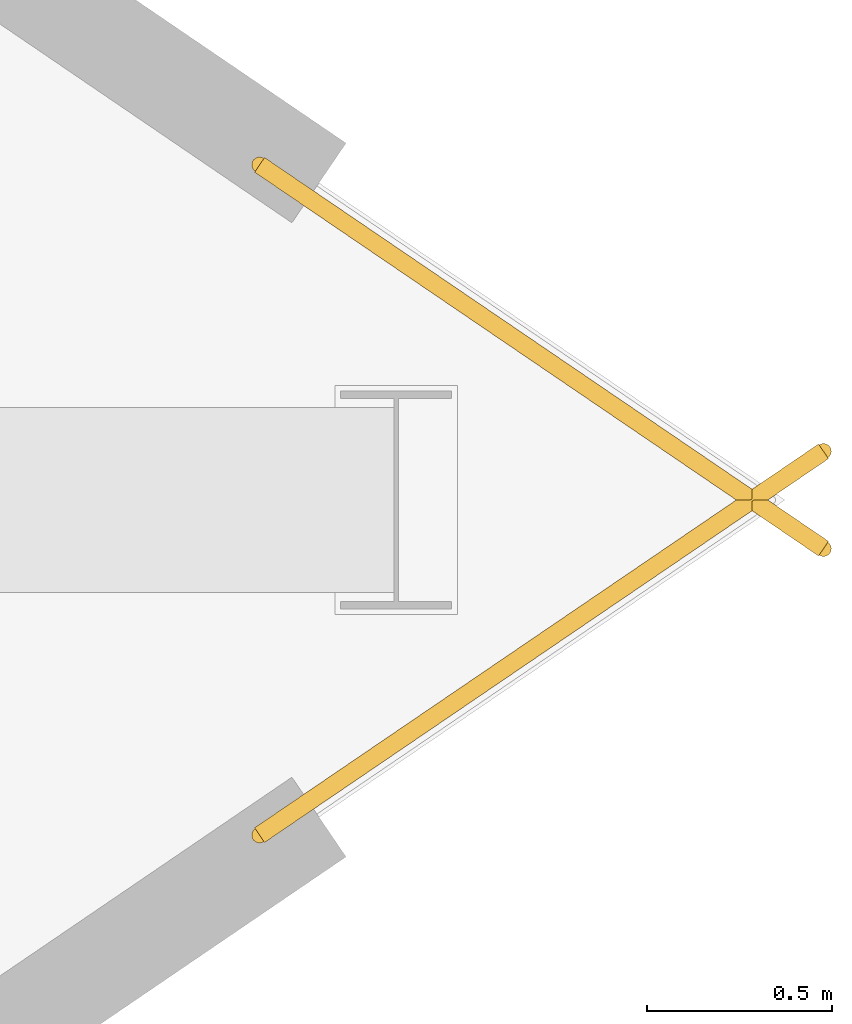
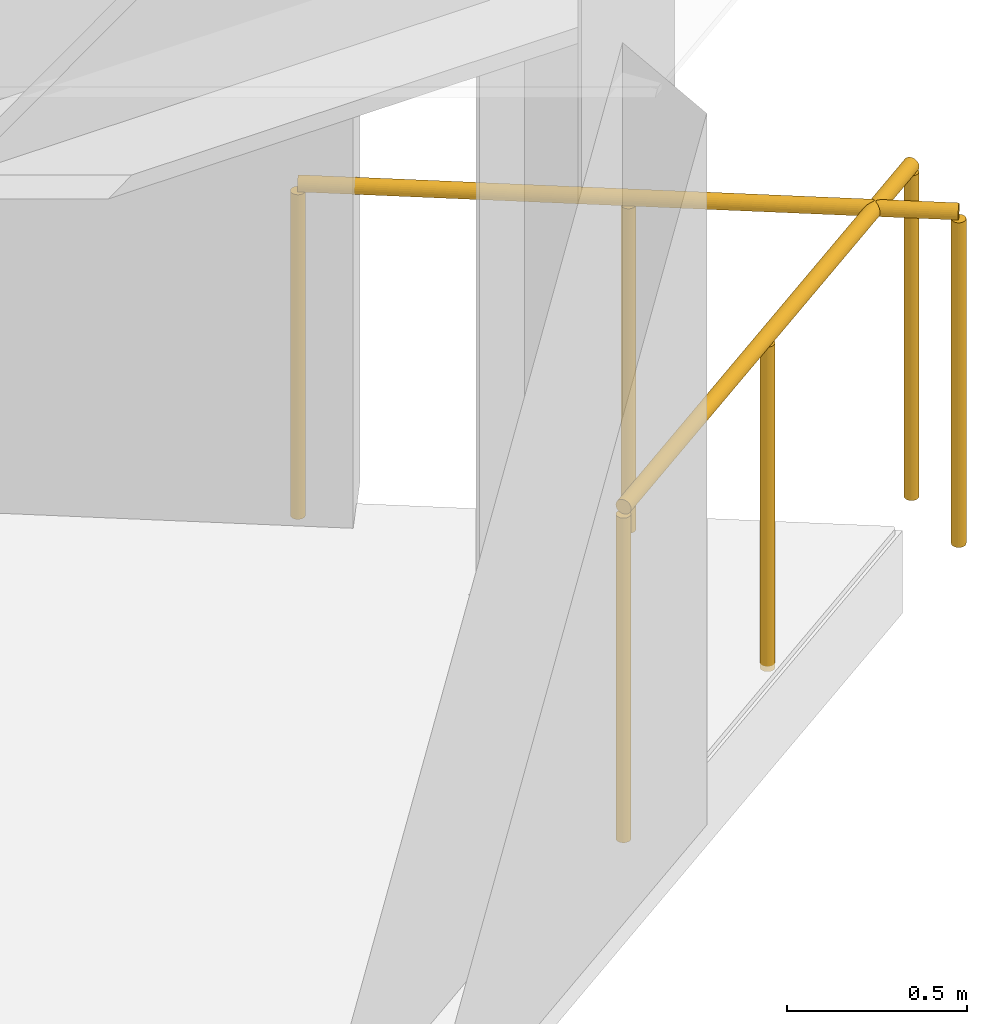
# One storey, part 20 of 20: 2 railings.
"""IFC4 building model written with IfcOpenShell, lengths in metres."""

from ifc_helpers import new_model, si_unit, direction, frame, origin, origin_2d, place, context, subcontext, project, spatial, circle, extrude, material, type_object, element, save


model = new_model("IFC4")

# Units and contexts
model_context = context("Model", 3, precision=1e-05, world=origin(), true_north=direction((0.0, 1.0)))
body_context = subcontext(model_context, "Body", "Model", "MODEL_VIEW")
ifc_project = project(units=[si_unit("LENGTHUNIT", "METRE"), si_unit("AREAUNIT", "SQUARE_METRE"), si_unit("VOLUMEUNIT", "CUBIC_METRE"), si_unit("PLANEANGLEUNIT", "RADIAN"), si_unit("MASSUNIT", "GRAM", prefix="KILO")], contexts=[model_context])

# Site, building, storey
site_placement = place(None, origin())
site = spatial("IfcSite", under=ifc_project, at=site_placement, CompositionType="ELEMENT")
building_placement = place(site_placement, origin())
building = spatial("IfcBuilding", under=site, at=building_placement, Name="Menara Vayukalpa", CompositionType="ELEMENT")
storey_placement = place(building_placement, frame((0.0, 0.0, 57.360107421875)))
storey = spatial("IfcBuildingStorey", under=building, at=storey_placement, Name="L13", CompositionType="ELEMENT", Elevation=57.360107421875)

# Railings
ifc_material = material(Name="Laminated Glass and Stainless Steel 316 Guardrail", Category="steel")
railing_type = type_object("IfcRailingType", Name="RLG-EXT115", PredefinedType="GUARDRAIL", material=ifc_material)
railing_1_placement = place(storey_placement, frame((57.538818359375, 21.094970703125, 0.0)))
element("IfcRailing", 1, at=railing_1_placement, inside=storey, type_object=railing_type, Name="L13 Column Corner Spandrel Guardrail 01-1", PredefinedType="GUARDRAIL", context=body_context, shape_type="SweptSolid", body=[
    extrude(circle(Radius=0.02392578125, at=origin_2d()), frame((0.0, 0.0, 1.1259765625), z_axis=(0.826731715225, 0.562596366004, 0.0), x_axis=(-0.562596366004, 0.826731715225, 0.0)), (0.0, 0.0, 1.0), 1.842041015625),
    extrude(circle(Radius=0.02099609375, at=origin_2d()), origin(), (0.0, 0.0, 1.0), 1.101806640625),
    extrude(circle(Radius=0.02099609375, at=origin_2d()), frame((0.761474609375, 0.51806640625, 0.0)), (0.0, 0.0, 1.0), 1.101806640625),
    extrude(circle(Radius=0.02099609375, at=origin_2d()), frame((1.52294921875, 1.036376953125, 0.0)), (0.0, 0.0, 1.0), 1.101806640625),
])
railing_2_placement = place(storey_placement, frame((59.061767578125, 21.86865234375, 0.0)))
element("IfcRailing", 2, at=railing_2_placement, inside=storey, type_object=railing_type, Name="L13 Column Corner Spandrel Guardrail 02-1", PredefinedType="GUARDRAIL", context=body_context, shape_type="SweptSolid", body=[
    extrude(circle(Radius=0.02392578125, at=origin_2d()), frame((0.0, 0.0, 1.1259765625), z_axis=(-0.826731715225, 0.562596366004, 0.0), x_axis=(-0.562596366004, -0.826731715225, 0.0)), (0.0, 0.0, 1.0), 1.842041015625),
    extrude(circle(Radius=0.02099609375, at=origin_2d()), origin(), (0.0, 0.0, 1.0), 1.101806640625),
    extrude(circle(Radius=0.02099609375, at=origin_2d()), frame((-0.761474609375, 0.51806640625, 0.0)), (0.0, 0.0, 1.0), 1.101806640625),
    extrude(circle(Radius=0.02099609375, at=origin_2d()), frame((-1.52294921875, 1.036376953125, 0.0)), (0.0, 0.0, 1.0), 1.101806640625),
])

save(model, "model.ifc")
